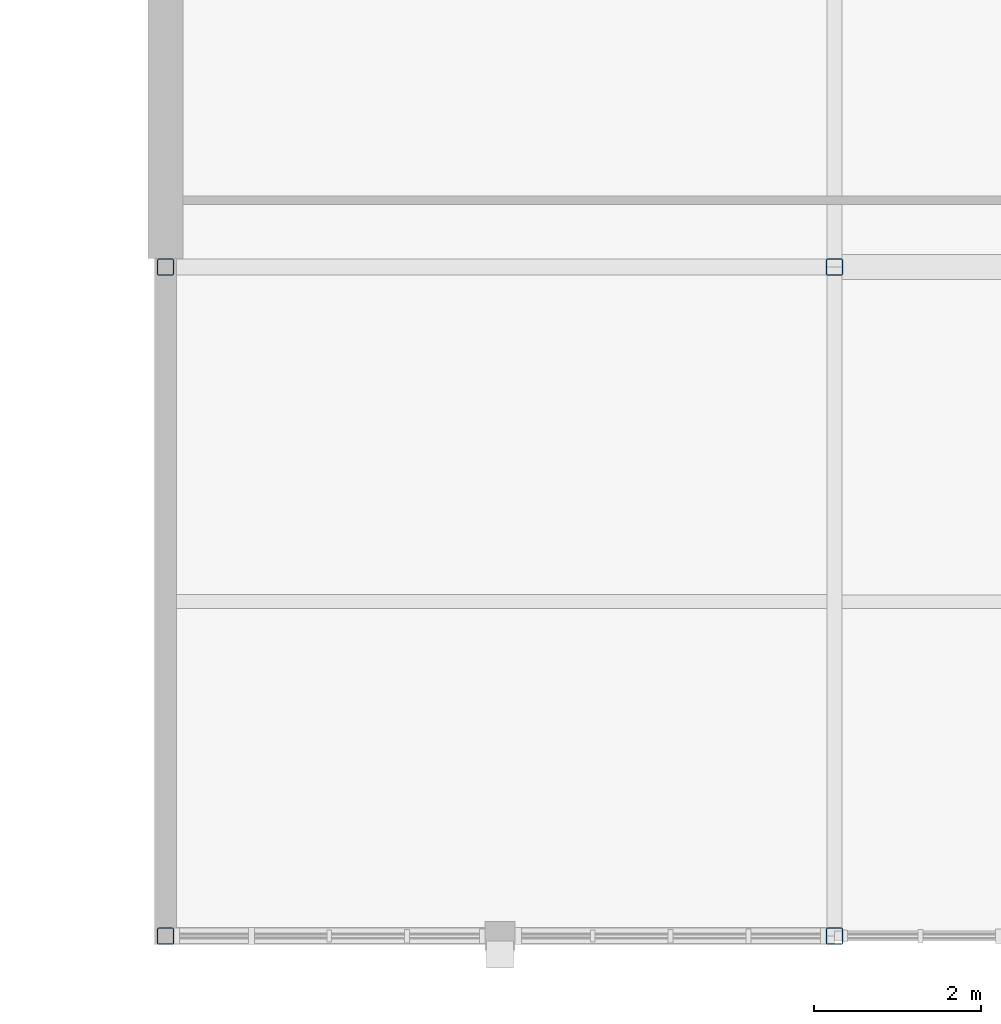
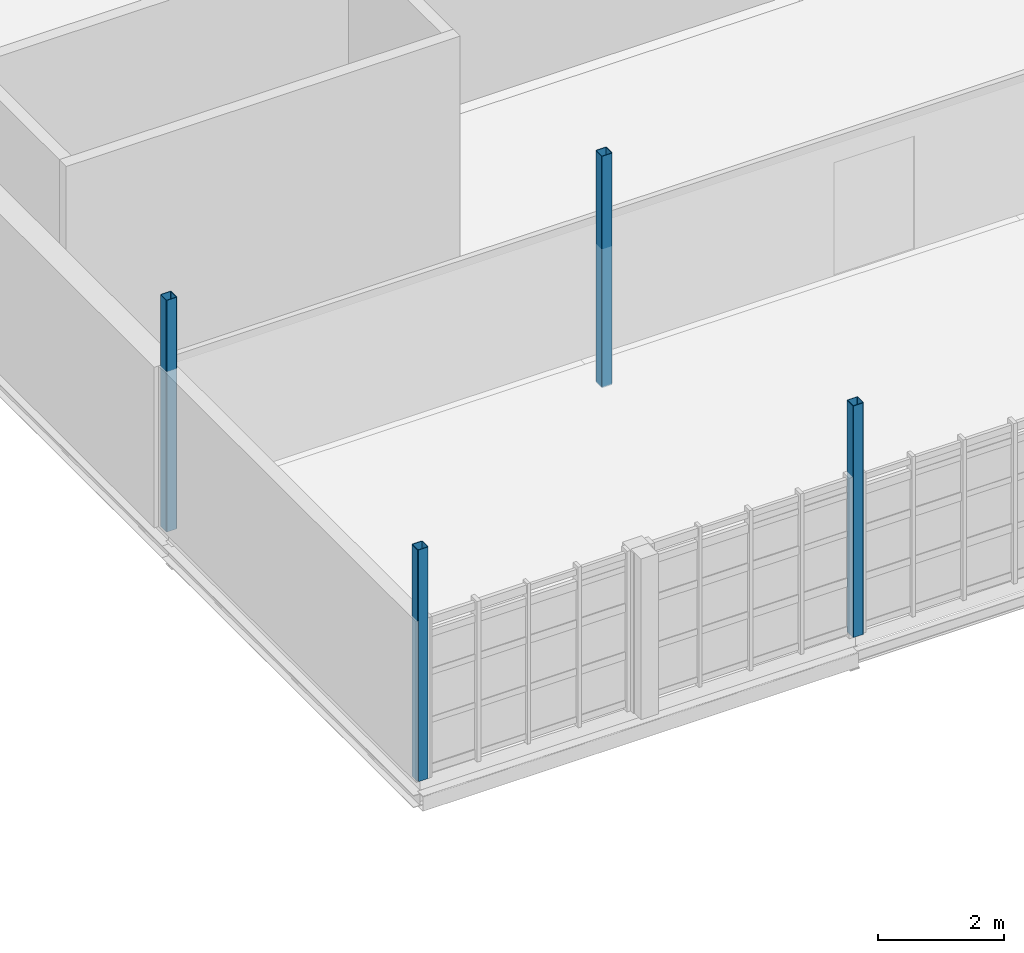
# One storey, part 9 of 125: 4 columns.
"""IFC4 building model written with IfcOpenShell, lengths in metres."""

from ifc_helpers import new_model, si_unit, direction, frame, origin, origin_2d, place, context, subcontext, project, spatial, hollow_rectangle, extrude, material, material_profile, profile_set, type_object, element, save


model = new_model("IFC4")

# Units and contexts
model_context = context("Model", 3, precision=1e-05, world=origin(), true_north=direction((0.0, 1.0)))
body_context = subcontext(model_context, "Body", "Model", "MODEL_VIEW")
ifc_project = project(units=[si_unit("LENGTHUNIT", "METRE"), si_unit("AREAUNIT", "SQUARE_METRE"), si_unit("VOLUMEUNIT", "CUBIC_METRE"), si_unit("PLANEANGLEUNIT", "RADIAN"), si_unit("MASSUNIT", "GRAM", prefix="KILO")], contexts=[model_context])

# Site, building, storey
site_placement = place(None, origin())
site = spatial("IfcSite", under=ifc_project, at=site_placement, CompositionType="ELEMENT")
building_placement = place(site_placement, origin())
building = spatial("IfcBuilding", under=site, at=building_placement, Name="Serraforn Aerial Cableway Station", CompositionType="ELEMENT")
storey_placement = place(building_placement, frame((0.0, 0.0, 4.5)))
storey = spatial("IfcBuildingStorey", under=building, at=storey_placement, Name="L01", CompositionType="ELEMENT", Elevation=4.5)

# Columns
ifc_material = material(Name="Steel S355J2", Category="steel")
ifc_material_profile = material_profile(ifc_material, hollow_rectangle(XDim=0.199951171875, YDim=0.199951171875, WallThickness=0.010009765625, InnerFilletRadius=0.010009765625, OuterFilletRadius=0.02001953125, at=origin_2d()), Name="SHS 200x200x10.0")
ifc_profile_set = profile_set([ifc_material_profile], Name="Steel S355J2")
column_type = type_object("IfcColumnType", Name="COL-ST-SHS200", PredefinedType="COLUMN", material=ifc_profile_set)
for number, where, z_axis, x_axis, name in (
    (1, (144.0, 0.0, 0.0), (0.0, 0.0, 1.0), (1.0, 0.0, 0.0), "Column ES L01 19-A"),
    (2, (144.0, 8.0, 0.0), (0.0, 0.0, 1.0), (1.0, 0.0, 0.0), "Column ES L01 19-B0"),
    (3, (152.0, 0.0, 0.0), (0.0, 0.0, 1.0), (1.0, 0.0, 0.0), "Column ES L01 20-A"),
    (4, (152.0, 8.0, 0.0), (0.0, 0.0, 1.0), (1.0, 0.0, 0.0), "Column ES L01 20-B0"),
):
    element("IfcColumn", number, at=place(storey_placement, frame(where, z_axis=z_axis, x_axis=x_axis)), inside=storey, type_object=column_type, Name=name, PredefinedType="COLUMN", context=body_context, shape_type="SweptSolid", body=[
        extrude(hollow_rectangle(XDim=0.199951171875, YDim=0.199951171875, WallThickness=0.010009765625, InnerFilletRadius=0.010009765625, OuterFilletRadius=0.02001953125, at=origin_2d()), origin(), (0.0, 0.0, 1.0), 4.5),
    ])

save(model, "model.ifc")
